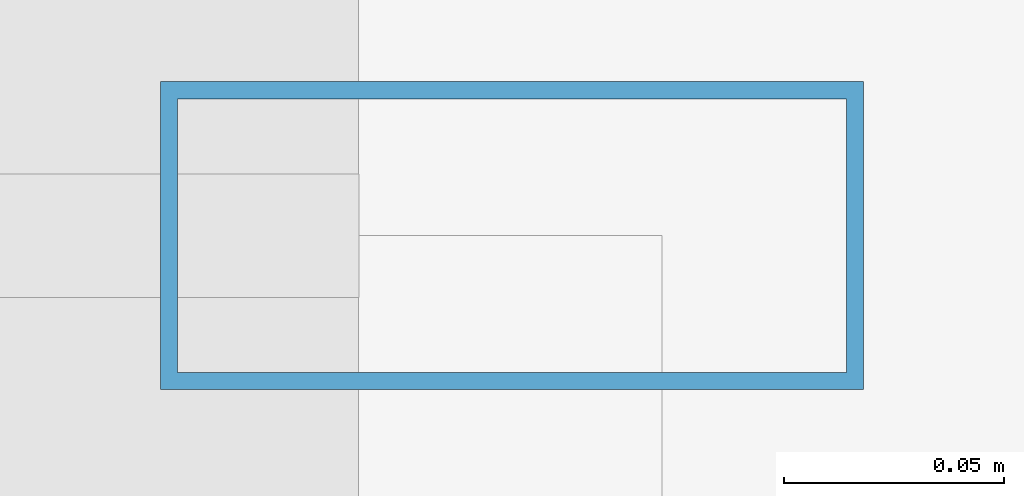
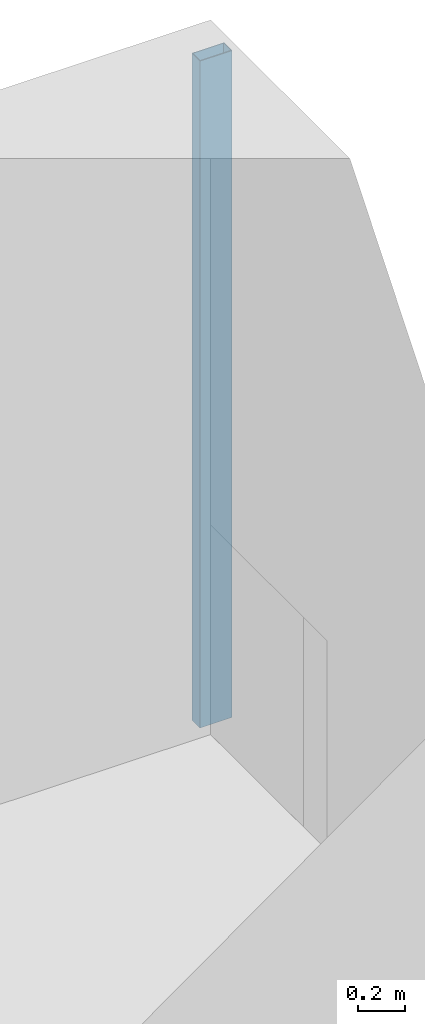
# One storey, part 17 of 35: 1 member, 1 element without a shape of its own.
"""IFC4 building model written with IfcOpenShell, lengths in metres."""

from ifc_helpers import new_model, si_unit, direction, frame, origin, origin_2d, place, context, subcontext, project, spatial, hollow_rectangle, extrude, material, material_profile, profile_set, type_object, element, aggregate, save


model = new_model("IFC4")

# Units and contexts
model_context = context("Model", 3, precision=1e-05, world=origin(), true_north=direction((0.0, 1.0)))
body_context = subcontext(model_context, "Body", "Model", "MODEL_VIEW")
ifc_project = project(units=[si_unit("LENGTHUNIT", "METRE"), si_unit("AREAUNIT", "SQUARE_METRE"), si_unit("VOLUMEUNIT", "CUBIC_METRE"), si_unit("PLANEANGLEUNIT", "RADIAN"), si_unit("MASSUNIT", "GRAM", prefix="KILO")], contexts=[model_context])

# Site, building, storey
site_placement = place(None, origin())
site = spatial("IfcSite", under=ifc_project, at=site_placement, CompositionType="ELEMENT")
building_placement = place(site_placement, origin())
building = spatial("IfcBuilding", under=site, at=building_placement, Name="Rekha Terrace Tower", CompositionType="ELEMENT")
storey_placement = place(building_placement, frame((0.0, 0.0, 25.39990234375)))
storey = spatial("IfcBuildingStorey", under=building, at=storey_placement, Name="L05", CompositionType="ELEMENT", Elevation=25.39990234375)

# Curtain wall, member
ifc_material_1 = material(Name="Aluminium framing", Category="aluminium")
curtain_wall_type = type_object("IfcCurtainWallType", Name="CW3 north unitised glazing", PredefinedType="USERDEFINED", material=ifc_material_1)
curtain_wall_placement = place(storey_placement, origin())
curtain_wall = element("IfcCurtainWall", 1, at=curtain_wall_placement, inside=storey, type_object=curtain_wall_type, Name="CW3 unitised curtain wall", ObjectType="UNITISED CURTAIN WALL", PredefinedType="USERDEFINED")
ifc_material_2 = material(Name="Aluminium mullion section", Category="aluminium")
ifc_material_profile = material_profile(ifc_material_2, hollow_rectangle(XDim=0.070068359375, YDim=0.159912109375, WallThickness=0.00390625, at=origin_2d()), Name="AL RHS 70x160")
ifc_profile_set = profile_set([ifc_material_profile], Name="Aluminium mullion section")
member_type = type_object("IfcMemberType", Name="CW3 mullion RHS 70 x 160", PredefinedType="MULLION", material=ifc_profile_set)
member_placement = place(storey_placement, frame((68.56494140625, 60.199951171875, 0.0), z_axis=(0.0, 0.0, 1.0), x_axis=(0.0, -1.0, 0.0)))
member = element("IfcMember", 2, at=member_placement, type_object=member_type, Name="CW3 mullion 1", PredefinedType="MULLION", context=body_context, shape_type="SweptSolid", body=[
    extrude(hollow_rectangle(XDim=0.070068359375, YDim=0.159912109375, WallThickness=0.00390625, at=origin_2d()), origin(), (0.0, 0.0, 1.0), 3.5),
])
aggregate(curtain_wall, [member])

save(model, "model.ifc")
